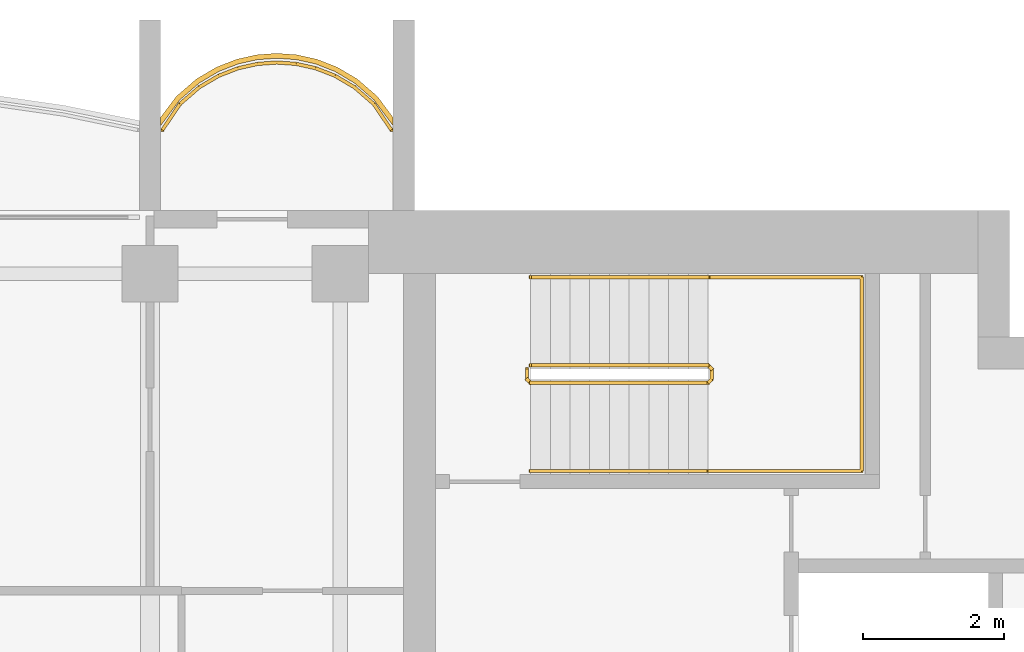
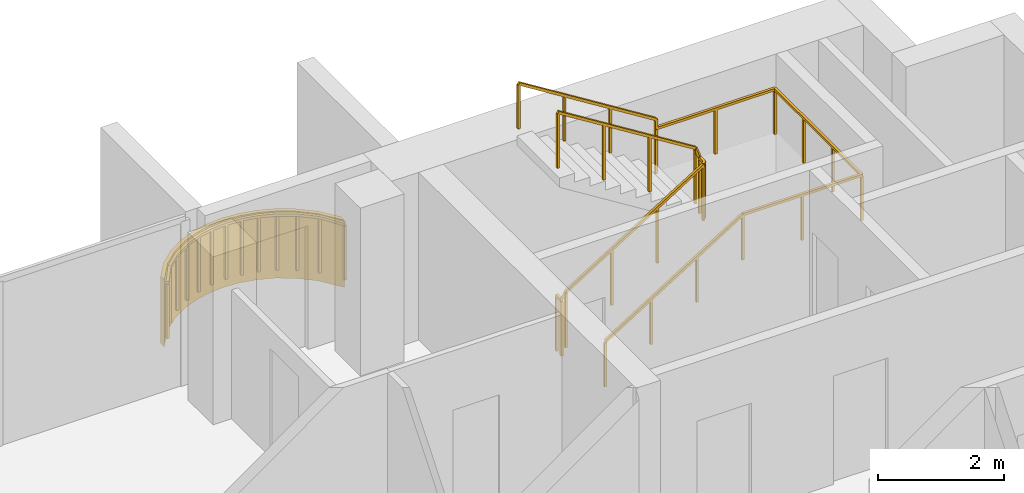
# One storey, part 16 of 16: 3 railings, 1 covering.
"""IFC4 building model written with IfcOpenShell, lengths in metres."""

from ifc_helpers import new_model, si_unit, direction, frame, origin, origin_2d, place, context, subcontext, project, spatial, polyline, rectangle, outline, extrude, material, layer, layer_set, type_object, element, save


model = new_model("IFC4")

# Units and contexts
model_context = context("Model", 3, precision=1e-05, world=origin(), true_north=direction((0.0, 1.0)))
body_context = subcontext(model_context, "Body", "Model", "MODEL_VIEW")
ifc_project = project(units=[si_unit("LENGTHUNIT", "METRE"), si_unit("AREAUNIT", "SQUARE_METRE"), si_unit("VOLUMEUNIT", "CUBIC_METRE"), si_unit("PLANEANGLEUNIT", "RADIAN"), si_unit("MASSUNIT", "GRAM", prefix="KILO")], contexts=[model_context])

# Site, building, storey
site_placement = place(None, origin())
site = spatial("IfcSite", under=ifc_project, at=site_placement, CompositionType="ELEMENT")
building_placement = place(site_placement, origin())
building = spatial("IfcBuilding", under=site, at=building_placement, Name="Perihelion Cross Residences", CompositionType="ELEMENT")
storey_placement = place(building_placement, frame((0.0, 0.0, 257.0)))
storey = spatial("IfcBuildingStorey", under=building, at=storey_placement, Name="L65", CompositionType="ELEMENT", Elevation=257.0)

# Covering
ifc_material_1 = material(Name="Bronze anodised aluminium", Category="aluminium")
ifc_layer = layer(ifc_material_1, 0.070068359375)
ifc_layer_set = layer_set([ifc_layer], Name="Balcony fascia 1300")
covering_type = type_object("IfcCoveringType", Name="Balcony fascia 1300", PredefinedType="CLADDING", material=ifc_layer_set)
covering_placement = place(storey_placement, frame((0.0, 0.0, -0.199951171875)))
element("IfcCovering", 1, at=covering_placement, inside=storey, type_object=covering_type, Name="Fascia BF1 L65 east side north bay 1", PredefinedType="CLADDING", context=body_context, shape_type="SweptSolid", body=[
    extrude(outline(polyline([(21.226318359375, 10.616455078125), (20.94091796875, 10.86328125), (20.655517578125, 11.031494140625), (20.370361328125, 11.142578125), (20.085205078125, 11.206298828125), (19.800048828125, 11.22705078125), (19.514892578125, 11.206298828125), (19.229736328125, 11.142578125), (18.9443359375, 11.031494140625), (18.6591796875, 10.86328125), (18.373779296875, 10.616455078125), (18.14990234375, 10.31689453125), (18.14990234375, 10.199951171875), (18.425048828125, 10.568603515625), (18.699951171875, 10.806396484375), (18.97509765625, 10.96875), (19.25, 11.07568359375), (19.52490234375, 11.136962890625), (19.800048828125, 11.156982421875), (20.074951171875, 11.136962890625), (20.35009765625, 11.07568359375), (20.625, 10.96875), (20.89990234375, 10.806396484375), (21.175048828125, 10.568603515625), (21.449951171875, 10.199951171875), (21.449951171875, 10.31689453125), (21.226318359375, 10.616455078125)])), origin(), (0.0, 0.0, 1.0), 1.300048828125),
])

# Railings
ifc_material_2 = material(Name="Bronze anodised aluminium", Category="aluminium")
railing_type_1 = type_object("IfcRailingType", Name="Balcony guard 1100", PredefinedType="GUARDRAIL", material=ifc_material_2)
railing_1_placement = place(storey_placement, frame((21.425048828125, 10.139892578125, 0.0)))
element("IfcRailing", 2, at=railing_1_placement, inside=storey, type_object=railing_type_1, Name="Guard GU1 L65 east side north bay 1 balcony", PredefinedType="GUARDRAIL", context=body_context, shape_type="SweptSolid", body=[
    extrude(rectangle(XDim=0.048095703125, YDim=0.048095703125, at=origin_2d()), frame((0.0, 0.0, 1.076171875), z_axis=(-0.561260132269, 0.827639452857, 0.0), x_axis=(-0.827639452857, -0.561260132269, 0.0)), (0.0, 0.0, 1.0), 0.4453125),
    extrude(rectangle(XDim=0.048095703125, YDim=0.048095703125, at=origin_2d()), frame((-0.25, 0.36865234375, 1.076171875), z_axis=(-0.756596535164, 0.653882009982, 0.0), x_axis=(-0.653882009982, -0.756596535164, 0.0)), (0.0, 0.0, 1.0), 0.36376953125),
    extrude(rectangle(XDim=0.048095703125, YDim=0.048095703125, at=origin_2d()), frame((-0.525146484375, 0.6064453125, 1.076171875), z_axis=(-0.861048292884, 0.508523192511, 0.0), x_axis=(-0.508523192511, -0.861048292884, 0.0)), (0.0, 0.0, 1.0), 0.3193359375),
    extrude(rectangle(XDim=0.048095703125, YDim=0.048095703125, at=origin_2d()), frame((-0.800048828125, 0.768798828125, 1.076171875), z_axis=(-0.931973602183, 0.362526143656, 0.0), x_axis=(-0.362526143656, -0.931973602183, 0.0)), (0.0, 0.0, 1.0), 0.294921875),
    extrude(rectangle(XDim=0.048095703125, YDim=0.048095703125, at=origin_2d()), frame((-1.074951171875, 0.875732421875, 1.076171875), z_axis=(-0.976085059389, 0.21738895289, 0.0), x_axis=(-0.21738895289, -0.976085059389, 0.0)), (0.0, 0.0, 1.0), 0.281982421875),
    extrude(rectangle(XDim=0.048095703125, YDim=0.048095703125, at=origin_2d()), frame((-1.35009765625, 0.93701171875, 1.076171875), z_axis=(-0.997358821833, 0.072631814734, 0.0), x_axis=(-0.072631814734, -0.997358821833, 0.0)), (0.0, 0.0, 1.0), 0.275634765625),
    extrude(rectangle(XDim=0.048095703125, YDim=0.048095703125, at=origin_2d()), frame((-1.625, 0.95703125, 1.076171875), z_axis=(-0.997363488337, -0.072567707226, 0.0), x_axis=(0.072567707226, -0.997363488337, 0.0)), (0.0, 0.0, 1.0), 0.27587890625),
    extrude(rectangle(XDim=0.048095703125, YDim=0.048095703125, at=origin_2d()), frame((-1.900146484375, 0.93701171875, 1.076171875), z_axis=(-0.976044077717, -0.217572880557, 0.0), x_axis=(0.217572880557, -0.976044077717, 0.0)), (0.0, 0.0, 1.0), 0.28173828125),
    extrude(rectangle(XDim=0.048095703125, YDim=0.048095703125, at=origin_2d()), frame((-2.175048828125, 0.875732421875, 1.076171875), z_axis=(-0.931973602183, -0.362526143656, 0.0), x_axis=(0.362526143656, -0.931973602183, 0.0)), (0.0, 0.0, 1.0), 0.294921875),
    extrude(rectangle(XDim=0.048095703125, YDim=0.048095703125, at=origin_2d()), frame((-2.449951171875, 0.768798828125, 1.076171875), z_axis=(-0.861245845072, -0.508188542123, 0.0), x_axis=(0.508188542123, -0.861245845072, 0.0)), (0.0, 0.0, 1.0), 0.319580078125),
    extrude(rectangle(XDim=0.048095703125, YDim=0.048095703125, at=origin_2d()), frame((-2.72509765625, 0.6064453125, 1.076171875), z_axis=(-0.756309278473, -0.654214242658, 0.0), x_axis=(0.654214242658, -0.756309278473, 0.0)), (0.0, 0.0, 1.0), 0.363525390625),
    extrude(rectangle(XDim=0.048095703125, YDim=0.048095703125, at=origin_2d()), frame((-3.0, 0.36865234375, 1.076171875), z_axis=(-0.561260132269, -0.827639452857, 0.0), x_axis=(0.827639452857, -0.561260132269, 0.0)), (0.0, 0.0, 1.0), 0.4453125),
    extrude(rectangle(XDim=0.0419921875, YDim=0.0419921875, at=origin_2d()), origin(), (0.0, 0.0, 1.0), 1.052001953125),
    extrude(rectangle(XDim=0.0419921875, YDim=0.0419921875, at=origin_2d()), frame((-0.25, 0.36865234375, 0.0)), (0.0, 0.0, 1.0), 1.052001953125),
    extrude(rectangle(XDim=0.0419921875, YDim=0.0419921875, at=origin_2d()), frame((-0.525146484375, 0.6064453125, 0.0)), (0.0, 0.0, 1.0), 1.052001953125),
    extrude(rectangle(XDim=0.0419921875, YDim=0.0419921875, at=origin_2d()), frame((-0.800048828125, 0.768798828125, 0.0)), (0.0, 0.0, 1.0), 1.052001953125),
    extrude(rectangle(XDim=0.0419921875, YDim=0.0419921875, at=origin_2d()), frame((-1.074951171875, 0.875732421875, 0.0)), (0.0, 0.0, 1.0), 1.052001953125),
    extrude(rectangle(XDim=0.0419921875, YDim=0.0419921875, at=origin_2d()), frame((-1.35009765625, 0.93701171875, 0.0)), (0.0, 0.0, 1.0), 1.052001953125),
    extrude(rectangle(XDim=0.0419921875, YDim=0.0419921875, at=origin_2d()), frame((-1.625, 0.95703125, 0.0)), (0.0, 0.0, 1.0), 1.052001953125),
    extrude(rectangle(XDim=0.0419921875, YDim=0.0419921875, at=origin_2d()), frame((-1.900146484375, 0.93701171875, 0.0)), (0.0, 0.0, 1.0), 1.052001953125),
    extrude(rectangle(XDim=0.0419921875, YDim=0.0419921875, at=origin_2d()), frame((-2.175048828125, 0.875732421875, 0.0)), (0.0, 0.0, 1.0), 1.052001953125),
    extrude(rectangle(XDim=0.0419921875, YDim=0.0419921875, at=origin_2d()), frame((-2.449951171875, 0.768798828125, 0.0)), (0.0, 0.0, 1.0), 1.052001953125),
    extrude(rectangle(XDim=0.0419921875, YDim=0.0419921875, at=origin_2d()), frame((-2.72509765625, 0.6064453125, 0.0)), (0.0, 0.0, 1.0), 1.052001953125),
    extrude(rectangle(XDim=0.0419921875, YDim=0.0419921875, at=origin_2d()), frame((-3.0, 0.36865234375, 0.0)), (0.0, 0.0, 1.0), 1.052001953125),
    extrude(rectangle(XDim=0.0419921875, YDim=0.0419921875, at=origin_2d()), frame((-3.25, 0.0, 0.0)), (0.0, 0.0, 1.0), 1.052001953125),
])
ifc_material_3 = material(Name="Stainless steel", Category="steel")
railing_type_2 = type_object("IfcRailingType", Name="Stair guard 1100", PredefinedType="GUARDRAIL", material=ifc_material_3)
railing_2_placement = place(storey_placement, frame((23.35009765625, 6.75, 0.0)))
element("IfcRailing", 3, at=railing_2_placement, inside=storey, type_object=railing_type_2, Name="L65 ST-E1 stair guard 1", PredefinedType="GUARDRAIL", context=body_context, shape_type="SweptSolid", body=[
    extrude(rectangle(XDim=0.048095703125, YDim=0.048095703125, at=origin_2d()), frame((0.0, 0.0, 1.076171875), z_axis=(0.0, -1.0, 0.0), x_axis=(1.0, 0.0, 0.0)), (0.0, 0.0, 1.0), 0.14990234375),
    extrude(rectangle(XDim=0.048095703125, YDim=0.048095703125, at=origin_2d()), frame((0.0, -0.14990234375, 1.076171875), z_axis=(0.263862480399, -0.265155923931, 0.927399011991), x_axis=(0.708833529934, 0.705375805398, 0.0)), (0.0, 0.0, 1.0), 0.188720703125),
    extrude(rectangle(XDim=0.048095703125, YDim=0.048095703125, at=origin_2d()), frame((0.0498046875, -0.199951171875, 1.2509765625), z_axis=(0.848007534815, 0.0, 0.529984170421), x_axis=(0.0, 1.0, 0.0)), (0.0, 0.0, 1.0), 2.9716796875),
    extrude(rectangle(XDim=0.048095703125, YDim=0.048095703125, at=origin_2d()), frame((2.56982421875, -0.199951171875, 2.826171875), z_axis=(0.707106781187, 0.707106781187, 0.0), x_axis=(-0.707106781187, 0.707106781187, 0.0)), (0.0, 0.0, 1.0), 0.07080078125),
    extrude(rectangle(XDim=0.048095703125, YDim=0.048095703125, at=origin_2d()), frame((2.619873046875, -0.14990234375, 2.826171875), z_axis=(0.0, 1.0, 0.0), x_axis=(-1.0, 0.0, 0.0)), (0.0, 0.0, 1.0), 0.14990234375),
    extrude(rectangle(XDim=0.048095703125, YDim=0.048095703125, at=origin_2d()), frame((2.619873046875, 0.0, 2.826171875), z_axis=(-0.265065253269, 0.265065253269, 0.927081885822), x_axis=(-0.707106781187, -0.707106781187, 0.0)), (0.0, 0.0, 1.0), 0.188720703125),
    extrude(rectangle(XDim=0.048095703125, YDim=0.048095703125, at=origin_2d()), frame((2.56982421875, 0.050048828125, 3.0009765625), z_axis=(-0.848007534815, 0.0, 0.529984170421), x_axis=(0.0, -1.0, 0.0)), (0.0, 0.0, 1.0), 2.9716796875),
    extrude(rectangle(XDim=0.0419921875, YDim=0.0419921875, at=origin_2d()), origin(), (0.0, 0.0, 1.0), 1.052001953125),
    extrude(rectangle(XDim=0.0419921875, YDim=0.0419921875, at=origin_2d()), frame((0.0, -0.14990234375, 0.0)), (0.0, 0.0, 1.0), 1.052001953125),
    extrude(rectangle(XDim=0.0419921875, YDim=0.0419921875, at=origin_2d()), frame((0.0498046875, -0.199951171875, 0.175048828125)), (0.0, 0.0, 1.0), 1.052001953125),
    extrude(rectangle(XDim=0.0419921875, YDim=0.0419921875, at=origin_2d()), frame((0.889892578125, -0.199951171875, 0.699951171875)), (0.0, 0.0, 1.0), 1.052001953125),
    extrude(rectangle(XDim=0.0419921875, YDim=0.0419921875, at=origin_2d()), frame((1.729736328125, -0.199951171875, 1.22509765625)), (0.0, 0.0, 1.0), 1.052001953125),
    extrude(rectangle(XDim=0.0419921875, YDim=0.0419921875, at=origin_2d()), frame((2.56982421875, -0.199951171875, 1.75)), (0.0, 0.0, 1.0), 1.052001953125),
    extrude(rectangle(XDim=0.0419921875, YDim=0.0419921875, at=origin_2d()), frame((2.619873046875, -0.14990234375, 1.75)), (0.0, 0.0, 1.0), 1.052001953125),
    extrude(rectangle(XDim=0.0419921875, YDim=0.0419921875, at=origin_2d()), frame((2.619873046875, 0.0, 1.75)), (0.0, 0.0, 1.0), 1.052001953125),
    extrude(rectangle(XDim=0.0419921875, YDim=0.0419921875, at=origin_2d()), frame((2.56982421875, 0.050048828125, 1.925048828125)), (0.0, 0.0, 1.0), 1.052001953125),
    extrude(rectangle(XDim=0.0419921875, YDim=0.0419921875, at=origin_2d()), frame((1.729736328125, 0.050048828125, 2.449951171875)), (0.0, 0.0, 1.0), 1.052001953125),
    extrude(rectangle(XDim=0.0419921875, YDim=0.0419921875, at=origin_2d()), frame((0.889892578125, 0.050048828125, 2.97509765625)), (0.0, 0.0, 1.0), 1.052001953125),
    extrude(rectangle(XDim=0.0419921875, YDim=0.0419921875, at=origin_2d()), frame((0.0498046875, 0.050048828125, 3.5)), (0.0, 0.0, 1.0), 1.052001953125),
])
ifc_material_4 = material(Name="Stainless steel", Category="steel")
railing_type_3 = type_object("IfcRailingType", Name="Stair handrail 900", PredefinedType="HANDRAIL", material=ifc_material_4)
railing_3_placement = place(storey_placement, frame((23.39990234375, 5.300048828125, 0.175048828125)))
element("IfcRailing", 4, at=railing_3_placement, inside=storey, type_object=railing_type_3, Name="L65 ST-E1 stair handrail 1", PredefinedType="HANDRAIL", context=body_context, shape_type="SweptSolid", body=[
    extrude(rectangle(XDim=0.048095703125, YDim=0.048095703125, at=origin_2d()), frame((0.0, 0.0, 0.8759765625), z_axis=(0.848007534815, 0.0, 0.529984170421), x_axis=(0.0, 1.0, 0.0)), (0.0, 0.0, 1.0), 2.9716796875),
    extrude(rectangle(XDim=0.048095703125, YDim=0.048095703125, at=origin_2d()), frame((2.52001953125, 0.0, 2.45068359375), z_axis=(1.0, 0.0, 0.0), x_axis=(0.0, 1.0, 0.0)), (0.0, 0.0, 1.0), 2.18017578125),
    extrude(rectangle(XDim=0.048095703125, YDim=0.048095703125, at=origin_2d()), frame((4.7001953125, 0.0, 2.45068359375), z_axis=(0.0, 1.0, 0.0), x_axis=(-1.0, 0.0, 0.0)), (0.0, 0.0, 1.0), 2.75),
    extrude(rectangle(XDim=0.048095703125, YDim=0.048095703125, at=origin_2d()), frame((4.7001953125, 2.75, 2.45068359375), z_axis=(-1.0, 0.0, 0.0), x_axis=(0.0, -1.0, 0.0)), (0.0, 0.0, 1.0), 2.18017578125),
    extrude(rectangle(XDim=0.048095703125, YDim=0.048095703125, at=origin_2d()), frame((2.52001953125, 2.75, 2.45068359375), z_axis=(0.0, 0.0, 1.0), x_axis=(1.0, 0.0, 0.0)), (0.0, 0.0, 1.0), 0.175048828125),
    extrude(rectangle(XDim=0.048095703125, YDim=0.048095703125, at=origin_2d()), frame((2.52001953125, 2.75, 2.6259765625), z_axis=(-0.848007534815, 0.0, 0.529984170421), x_axis=(0.0, -1.0, 0.0)), (0.0, 0.0, 1.0), 2.9716796875),
    extrude(rectangle(XDim=0.0419921875, YDim=0.0419921875, at=origin_2d()), origin(), (0.0, 0.0, 1.0), 0.851806640625),
    extrude(rectangle(XDim=0.0419921875, YDim=0.0419921875, at=origin_2d()), frame((0.840087890625, 0.0, 0.52490234375)), (0.0, 0.0, 1.0), 0.851806640625),
    extrude(rectangle(XDim=0.0419921875, YDim=0.0419921875, at=origin_2d()), frame((1.679931640625, 0.0, 1.050048828125)), (0.0, 0.0, 1.0), 0.851806640625),
    extrude(rectangle(XDim=0.0419921875, YDim=0.0419921875, at=origin_2d()), frame((2.52001953125, 0.0, 1.574951171875)), (0.0, 0.0, 1.0), 0.851806640625),
    extrude(rectangle(XDim=0.0419921875, YDim=0.0419921875, at=origin_2d()), frame((3.610107421875, 0.0, 1.574951171875)), (0.0, 0.0, 1.0), 0.851806640625),
    extrude(rectangle(XDim=0.0419921875, YDim=0.0419921875, at=origin_2d()), frame((4.7001953125, 0.0, 1.574951171875)), (0.0, 0.0, 1.0), 0.851806640625),
    extrude(rectangle(XDim=0.0419921875, YDim=0.0419921875, at=origin_2d()), frame((4.7001953125, 0.916748046875, 1.574951171875)), (0.0, 0.0, 1.0), 0.851806640625),
    extrude(rectangle(XDim=0.0419921875, YDim=0.0419921875, at=origin_2d()), frame((4.7001953125, 1.833251953125, 1.574951171875)), (0.0, 0.0, 1.0), 0.851806640625),
    extrude(rectangle(XDim=0.0419921875, YDim=0.0419921875, at=origin_2d()), frame((4.7001953125, 2.75, 1.574951171875)), (0.0, 0.0, 1.0), 0.851806640625),
    extrude(rectangle(XDim=0.0419921875, YDim=0.0419921875, at=origin_2d()), frame((3.610107421875, 2.75, 1.574951171875)), (0.0, 0.0, 1.0), 0.851806640625),
    extrude(rectangle(XDim=0.0419921875, YDim=0.0419921875, at=origin_2d()), frame((2.52001953125, 2.75, 1.574951171875)), (0.0, 0.0, 1.0), 0.851806640625),
    extrude(rectangle(XDim=0.0419921875, YDim=0.0419921875, at=origin_2d()), frame((2.52001953125, 2.75, 1.75)), (0.0, 0.0, 1.0), 0.851806640625),
    extrude(rectangle(XDim=0.0419921875, YDim=0.0419921875, at=origin_2d()), frame((1.679931640625, 2.75, 2.27490234375)), (0.0, 0.0, 1.0), 0.851806640625),
    extrude(rectangle(XDim=0.0419921875, YDim=0.0419921875, at=origin_2d()), frame((0.840087890625, 2.75, 2.800048828125)), (0.0, 0.0, 1.0), 0.851806640625),
    extrude(rectangle(XDim=0.0419921875, YDim=0.0419921875, at=origin_2d()), frame((0.0, 2.75, 3.324951171875)), (0.0, 0.0, 1.0), 0.851806640625),
])

save(model, "model.ifc")
